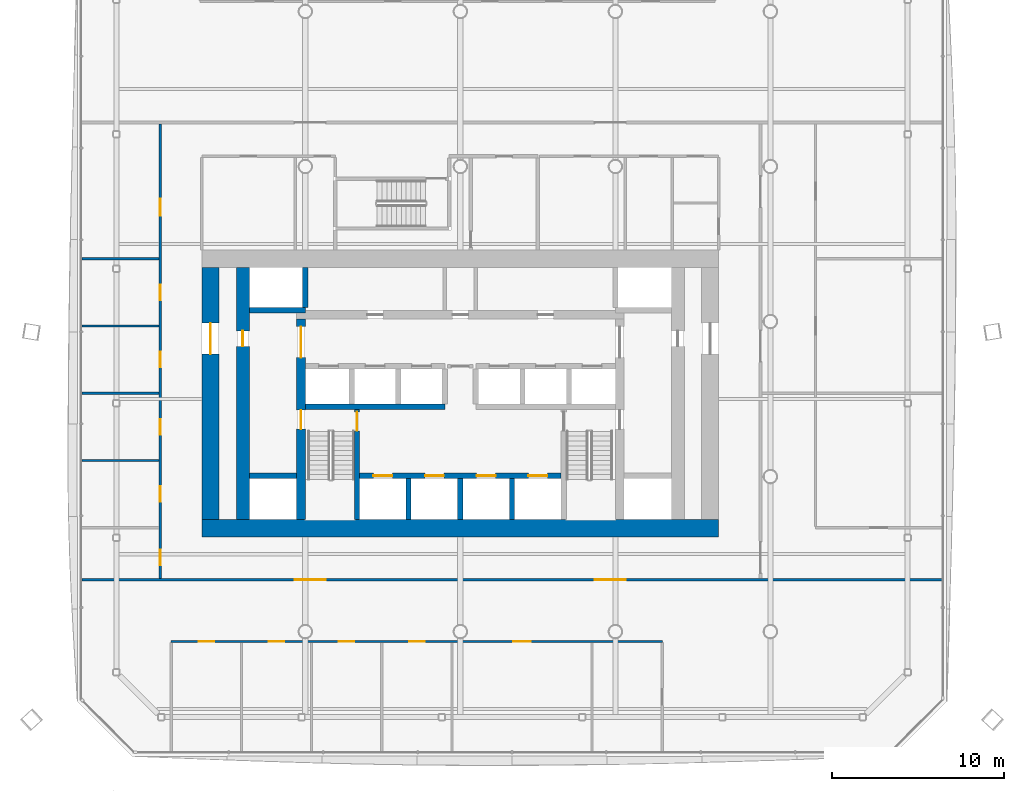
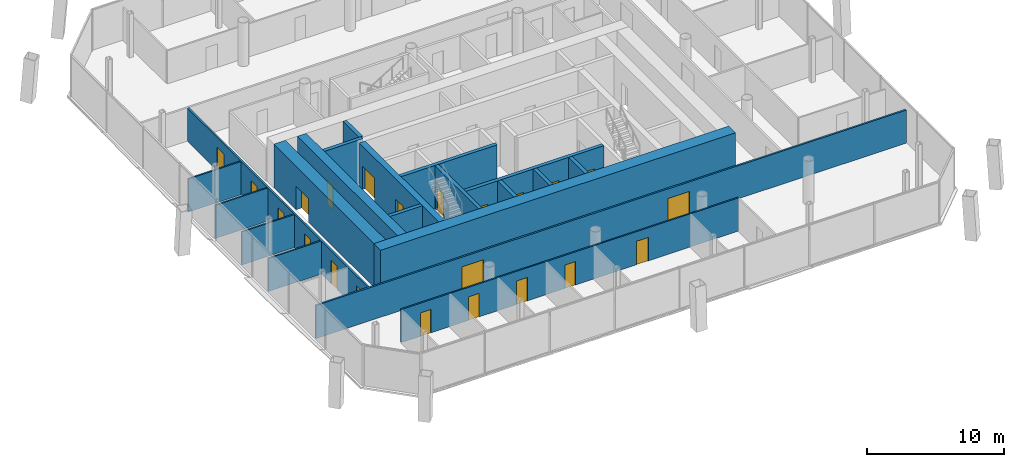
# One storey, part 11 of 19: 22 doors, 20 walls, 22 openings.
"""IFC4 building model written with IfcOpenShell, lengths in metres."""

from ifc_helpers import new_model, si_unit, direction, frame, frame_2d, origin, place, context, subcontext, project, spatial, rectangle, extrude, material, layer, layer_set, type_object, element, fill, save


model = new_model("IFC4")

# Units and contexts
model_context = context("Model", 3, precision=1e-05, world=origin(), true_north=direction((0.0, 1.0)))
body_context = subcontext(model_context, "Body", "Model", "MODEL_VIEW")
ifc_project = project(units=[si_unit("LENGTHUNIT", "METRE"), si_unit("AREAUNIT", "SQUARE_METRE"), si_unit("VOLUMEUNIT", "CUBIC_METRE"), si_unit("PLANEANGLEUNIT", "RADIAN"), si_unit("MASSUNIT", "GRAM", prefix="KILO")], contexts=[model_context])

# Site, building, storey
site_placement = place(None, origin())
site = spatial("IfcSite", under=ifc_project, at=site_placement, CompositionType="ELEMENT")
building_placement = place(site_placement, origin())
building = spatial("IfcBuilding", under=site, at=building_placement, Name="Tskaro Facet Tower", CompositionType="ELEMENT")
storey_placement = place(building_placement, frame((0.0, 0.0, 77.699951171875)))
storey = spatial("IfcBuildingStorey", under=building, at=storey_placement, Name="L18", CompositionType="ELEMENT", Elevation=77.699951171875)

# Wall
ifc_material_1 = material(Name="Concrete C60/75", Category="concrete")
ifc_layer_1 = layer(ifc_material_1, 0.300048828125, Name="Concrete C60/75")
ifc_layer_set_1 = layer_set([ifc_layer_1], Name="Concrete C60/75")
wall_type_1 = type_object("IfcWallType", Name="CORE-SHAFT", PredefinedType="SHEAR", material=ifc_layer_set_1)
wall_1_placement = place(storey_placement, frame((-12.25, -8.949951171875, 0.0), z_axis=(0.0, 0.0, 1.0), x_axis=(1.0, 0.0, 0.0)))
element("IfcWall", 1, at=wall_1_placement, inside=storey, type_object=wall_type_1, Name="Shaft wall W005", PredefinedType="SHEAR", context=body_context, shape_type="SweptSolid", body=[
    extrude(rectangle(XDim=2.75, YDim=0.300048828125, at=frame_2d((1.375, 0.0))), origin(), (0.0, 0.0, 1.0), 3.900146484375),
])

# Wall, openings, doors
wall_2_placement = place(storey_placement, frame((-5.85009765625, -8.949951171875, 0.0), z_axis=(0.0, 0.0, 1.0), x_axis=(1.0, 0.0, 0.0)))
wall_2 = element("IfcWall", 2, at=wall_2_placement, inside=storey, type_object=wall_type_1, Name="Shaft wall W006", PredefinedType="SHEAR", context=body_context, shape_type="SweptSolid", body=[
    extrude(rectangle(XDim=11.7001953125, YDim=0.300048828125, at=frame_2d((5.85009765625, 0.0))), origin(), (0.0, 0.0, 1.0), 3.900146484375),
])
opening_1_placement = place(wall_2_placement, frame((0.800048828125, 0.0, 0.0)))
opening_1 = element("IfcOpeningElement", 3, at=opening_1_placement, cuts=wall_2, Name="Opening LD-FF1", PredefinedType="OPENING", context=body_context, shape_type="SweptSolid", body=[
    extrude(rectangle(XDim=1.10009765625, YDim=2.10009765625, at=frame_2d((0.550048828125, 1.050048828125))), frame((0.0, 0.159912109375, 0.0), z_axis=(0.0, -1.0, 0.0), x_axis=(1.0, 0.0, 0.0)), (0.0, 0.0, 1.0), 0.320068359375),
])
opening_2_placement = place(wall_2_placement, frame((3.800048828125, 0.0, 0.0)))
opening_2 = element("IfcOpeningElement", 4, at=opening_2_placement, cuts=wall_2, Name="Opening LD-FF2", PredefinedType="OPENING", context=body_context, shape_type="SweptSolid", body=[
    extrude(rectangle(XDim=1.10009765625, YDim=2.10009765625, at=frame_2d((0.550048828125, 1.050048828125))), frame((0.0, 0.159912109375, 0.0), z_axis=(0.0, -1.0, 0.0), x_axis=(1.0, 0.0, 0.0)), (0.0, 0.0, 1.0), 0.320068359375),
])
opening_3_placement = place(wall_2_placement, frame((6.800048828125, 0.0, 0.0)))
opening_3 = element("IfcOpeningElement", 5, at=opening_3_placement, cuts=wall_2, Name="Opening LD-SV1", PredefinedType="OPENING", context=body_context, shape_type="SweptSolid", body=[
    extrude(rectangle(XDim=1.10009765625, YDim=2.10009765625, at=frame_2d((0.550048828125, 1.050048828125))), frame((0.0, 0.159912109375, 0.0), z_axis=(0.0, -1.0, 0.0), x_axis=(1.0, 0.0, 0.0)), (0.0, 0.0, 1.0), 0.320068359375),
])
opening_4_placement = place(wall_2_placement, frame((9.800048828125, 0.0, 0.0)))
opening_4 = element("IfcOpeningElement", 6, at=opening_4_placement, cuts=wall_2, Name="Opening LD-SV2", PredefinedType="OPENING", context=body_context, shape_type="SweptSolid", body=[
    extrude(rectangle(XDim=1.10009765625, YDim=2.10009765625, at=frame_2d((0.550048828125, 1.050048828125))), frame((0.0, 0.159912109375, 0.0), z_axis=(0.0, -1.0, 0.0), x_axis=(1.0, 0.0, 0.0)), (0.0, 0.0, 1.0), 0.320068359375),
])
ifc_material_2 = material(Name="Stainless steel", Category="steel")
door_type_1 = type_object("IfcDoorType", Name="D-LANDING", OperationType="NOTDEFINED", PredefinedType="DOOR", material=ifc_material_2)
door_1_placement = place(opening_1_placement, origin())
door_1 = element("IfcDoor", 7, at=door_1_placement, inside=storey, type_object=door_type_1, Name="Landing door FF1", OperationType="DOUBLE_DOOR_SLIDING", OverallHeight=2.10009765625, OverallWidth=1.10009765625, PredefinedType="DOOR", context=body_context, shape_type="SweptSolid", body=[
    extrude(rectangle(XDim=1.10009765625, YDim=2.10009765625, at=frame_2d((0.550048828125, 1.050048828125))), frame((0.0, 0.02490234375, 0.0), z_axis=(0.0, -1.0, 0.0), x_axis=(1.0, 0.0, 0.0)), (0.0, 0.0, 1.0), 0.050048828125),
])
fill(opening_1, door_1)
door_2_placement = place(opening_2_placement, origin())
door_2 = element("IfcDoor", 8, at=door_2_placement, inside=storey, type_object=door_type_1, Name="Landing door FF2", OperationType="DOUBLE_DOOR_SLIDING", OverallHeight=2.10009765625, OverallWidth=1.10009765625, PredefinedType="DOOR", context=body_context, shape_type="SweptSolid", body=[
    extrude(rectangle(XDim=1.10009765625, YDim=2.10009765625, at=frame_2d((0.550048828125, 1.050048828125))), frame((0.0, 0.02490234375, 0.0), z_axis=(0.0, -1.0, 0.0), x_axis=(1.0, 0.0, 0.0)), (0.0, 0.0, 1.0), 0.050048828125),
])
fill(opening_2, door_2)
door_3_placement = place(opening_3_placement, origin())
door_3 = element("IfcDoor", 9, at=door_3_placement, inside=storey, type_object=door_type_1, Name="Landing door SV1", OperationType="DOUBLE_DOOR_SLIDING", OverallHeight=2.10009765625, OverallWidth=1.10009765625, PredefinedType="DOOR", context=body_context, shape_type="SweptSolid", body=[
    extrude(rectangle(XDim=1.10009765625, YDim=2.10009765625, at=frame_2d((0.550048828125, 1.050048828125))), frame((0.0, 0.02490234375, 0.0), z_axis=(0.0, -1.0, 0.0), x_axis=(1.0, 0.0, 0.0)), (0.0, 0.0, 1.0), 0.050048828125),
])
fill(opening_3, door_3)
door_4_placement = place(opening_4_placement, origin())
door_4 = element("IfcDoor", 10, at=door_4_placement, inside=storey, type_object=door_type_1, Name="Landing door SV2", OperationType="DOUBLE_DOOR_SLIDING", OverallHeight=2.10009765625, OverallWidth=1.10009765625, PredefinedType="DOOR", context=body_context, shape_type="SweptSolid", body=[
    extrude(rectangle(XDim=1.10009765625, YDim=2.10009765625, at=frame_2d((0.550048828125, 1.050048828125))), frame((0.0, 0.02490234375, 0.0), z_axis=(0.0, -1.0, 0.0), x_axis=(1.0, 0.0, 0.0)), (0.0, 0.0, 1.0), 0.050048828125),
])
fill(opening_4, door_4)

# Walls
wall_3_placement = place(storey_placement, frame((-9.0, -4.949951171875, 0.0), z_axis=(0.0, 0.0, 1.0), x_axis=(1.0, 0.0, 0.0)))
element("IfcWall", 11, at=wall_3_placement, inside=storey, type_object=wall_type_1, Name="Shaft wall W009", PredefinedType="SHEAR", context=body_context, shape_type="SweptSolid", body=[
    extrude(rectangle(XDim=8.10009765625, YDim=0.300048828125, at=frame_2d((4.050048828125, 0.0))), origin(), (0.0, 0.0, 1.0), 3.900146484375),
])
wall_4_placement = place(storey_placement, frame((-9.0, 0.64990234375, 0.0), z_axis=(0.0, 0.0, 1.0), x_axis=(-1.0, 0.0, 0.0)))
element("IfcWall", 12, at=wall_4_placement, inside=storey, type_object=wall_type_1, Name="Shaft wall W018", PredefinedType="SHEAR", context=body_context, shape_type="SweptSolid", body=[
    extrude(rectangle(XDim=3.25, YDim=0.300048828125, at=frame_2d((1.625, 0.0))), origin(), (0.0, 0.0, 1.0), 3.900146484375),
])
wall_5_placement = place(storey_placement, frame((-9.0, 0.800048828125, 0.0), z_axis=(0.0, 0.0, 1.0), x_axis=(0.0, 1.0, 0.0)))
element("IfcWall", 13, at=wall_5_placement, inside=storey, type_object=wall_type_1, Name="Shaft wall W036", PredefinedType="SHEAR", context=body_context, shape_type="SweptSolid", body=[
    extrude(rectangle(XDim=2.349853515625, YDim=0.300048828125, at=frame_2d((1.1748046875, 0.0))), origin(), (0.0, 0.0, 1.0), 3.900146484375),
])

# Wall, opening, door
wall_6_placement = place(storey_placement, frame((-6.0, -11.5, 0.0), z_axis=(0.0, 0.0, 1.0), x_axis=(0.0, 1.0, 0.0)))
wall_6 = element("IfcWall", 14, at=wall_6_placement, inside=storey, type_object=wall_type_1, Name="Shaft wall W043", PredefinedType="SHEAR", context=body_context, shape_type="SweptSolid", body=[
    extrude(rectangle(XDim=6.39990234375, YDim=0.300048828125, at=frame_2d((3.199951171875, 0.0))), origin(), (0.0, 0.0, 1.0), 3.900146484375),
])
opening_5_placement = place(wall_6_placement, frame((5.14990234375, 0.0, 0.0)))
opening_5 = element("IfcOpeningElement", 15, at=opening_5_placement, cuts=wall_6, Name="Opening ST-1-D1", PredefinedType="OPENING", context=body_context, shape_type="SweptSolid", body=[
    extrude(rectangle(XDim=1.10009765625, YDim=2.10009765625, at=frame_2d((0.550048828125, 1.050048828125))), frame((0.0, 0.159912109375, 0.0), z_axis=(0.0, -1.0, 0.0), x_axis=(1.0, 0.0, 0.0)), (0.0, 0.0, 1.0), 0.320068359375),
])
ifc_material_3 = material(Name="Steel", Category="steel")
door_type_2 = type_object("IfcDoorType", Name="D-STAIR", OperationType="NOTDEFINED", PredefinedType="DOOR", material=ifc_material_3)
door_5_placement = place(opening_5_placement, origin())
door_5 = element("IfcDoor", 16, at=door_5_placement, inside=storey, type_object=door_type_2, Name="Stair door 1", OperationType="SINGLE_SWING_LEFT", OverallHeight=2.10009765625, OverallWidth=1.10009765625, PredefinedType="DOOR", context=body_context, shape_type="SweptSolid", body=[
    extrude(rectangle(XDim=1.10009765625, YDim=2.10009765625, at=frame_2d((0.550048828125, 1.050048828125))), frame((0.0, 0.02490234375, 0.0), z_axis=(0.0, -1.0, 0.0), x_axis=(1.0, 0.0, 0.0)), (0.0, 0.0, 1.0), 0.050048828125),
])
fill(opening_5, door_5)

# Walls
for number, where, z_axis, x_axis, name in (
    (17, (-3.0, -11.5, 0.0), (0.0, 0.0, 1.0), (0.0, 1.0, 0.0), "Shaft wall W046"),
    (18, (0.0, -11.5, 0.0), (0.0, 0.0, 1.0), (0.0, 1.0, 0.0), "Shaft wall W053"),
    (19, (3.0, -11.5, 0.0), (0.0, 0.0, 1.0), (0.0, 1.0, 0.0), "Shaft wall W057"),
):
    element("IfcWall", number, at=place(storey_placement, frame(where, z_axis=z_axis, x_axis=x_axis)), inside=storey, type_object=wall_type_1, Name=name, PredefinedType="SHEAR", context=body_context, shape_type="SweptSolid", body=[
        extrude(rectangle(XDim=2.39990234375, YDim=0.300048828125, at=frame_2d((1.199951171875, 0.0))), origin(), (0.0, 0.0, 1.0), 3.900146484375),
    ])
ifc_layer_2 = layer(ifc_material_1, 1.0, Name="Concrete C60/75")
ifc_layer_set_2 = layer_set([ifc_layer_2], Name="Concrete C60/75")
wall_type_2 = type_object("IfcWallType", Name="Core wall 1000", PredefinedType="SHEAR", material=ifc_layer_set_2)
wall_7_placement = place(storey_placement, frame((-15.0, -12.0, 0.0), z_axis=(0.0, 0.0, 1.0), x_axis=(1.0, 0.0, 0.0)))
element("IfcWall", 20, at=wall_7_placement, inside=storey, type_object=wall_type_2, Name="Core wall CW-Z1S", PredefinedType="SHEAR", context=body_context, shape_type="SweptSolid", body=[
    extrude(rectangle(XDim=30.0, YDim=1.0, at=frame_2d((15.0, 0.0))), origin(), (0.0, 0.0, 1.0), 3.900146484375),
])

# Wall, opening, door
wall_8_placement = place(storey_placement, frame((-14.5, -11.5, 0.0), z_axis=(0.0, 0.0, 1.0), x_axis=(0.0, 1.0, 0.0)))
wall_8 = element("IfcWall", 21, at=wall_8_placement, inside=storey, type_object=wall_type_2, Name="Core wall CW-Z1W", PredefinedType="SHEAR", context=body_context, shape_type="SweptSolid", body=[
    extrude(rectangle(XDim=14.64990234375, YDim=1.0, at=frame_2d((7.324951171875, 0.0))), origin(), (0.0, 0.0, 1.0), 3.900146484375),
])
opening_6_placement = place(wall_8_placement, frame((9.60009765625, 0.0, 0.0)))
opening_6 = element("IfcOpeningElement", 22, at=opening_6_placement, cuts=wall_8, Name="Opening T5-D20", PredefinedType="OPENING", context=body_context, shape_type="SweptSolid", body=[
    extrude(rectangle(XDim=1.800048828125, YDim=2.10009765625, at=frame_2d((0.89990234375, 1.050048828125))), frame((0.0, 0.510009765625, 0.0), z_axis=(0.0, -1.0, 0.0), x_axis=(1.0, 0.0, 0.0)), (0.0, 0.0, 1.0), 1.02001953125),
])
door_type_3 = type_object("IfcDoorType", Name="D-CORE-PAIR", OperationType="NOTDEFINED", PredefinedType="DOOR", material=ifc_material_3)
door_6_placement = place(opening_6_placement, origin())
door_6 = element("IfcDoor", 23, at=door_6_placement, inside=storey, type_object=door_type_3, Name="Door T5-D20", OperationType="DOUBLE_DOOR_SINGLE_SWING", OverallHeight=2.10009765625, OverallWidth=1.800048828125, PredefinedType="DOOR", context=body_context, shape_type="SweptSolid", body=[
    extrude(rectangle(XDim=1.800048828125, YDim=2.10009765625, at=frame_2d((0.89990234375, 1.050048828125))), frame((0.0, 0.02490234375, 0.0), z_axis=(0.0, -1.0, 0.0), x_axis=(1.0, 0.0, 0.0)), (0.0, 0.0, 1.0), 0.050048828125),
])
fill(opening_6, door_6)

# Wall, openings, doors
ifc_material_4 = material(Name="Concrete C40/50", Category="concrete")
ifc_layer_3 = layer(ifc_material_4, 0.5, Name="Concrete C40/50")
ifc_layer_set_3 = layer_set([ifc_layer_3], Name="Concrete C40/50")
wall_type_3 = type_object("IfcWallType", Name="Core wall 500", PredefinedType="SHEAR", material=ifc_layer_set_3)
wall_9_placement = place(storey_placement, frame((-9.25, -11.5, 0.0), z_axis=(0.0, 0.0, 1.0), x_axis=(0.0, 1.0, 0.0)))
wall_9 = element("IfcWall", 24, at=wall_9_placement, inside=storey, type_object=wall_type_3, Name="Core wall CW-Z3W", PredefinedType="SHEAR", context=body_context, shape_type="SweptSolid", body=[
    extrude(rectangle(XDim=11.64990234375, YDim=0.5, at=frame_2d((5.824951171875, 0.0))), origin(), (0.0, 0.0, 1.0), 3.900146484375),
])
opening_7_placement = place(wall_9_placement, frame((9.39990234375, 0.0, 0.0)))
opening_7 = element("IfcOpeningElement", 25, at=opening_7_placement, cuts=wall_9, Name="Opening T5-D18", PredefinedType="OPENING", context=body_context, shape_type="SweptSolid", body=[
    extrude(rectangle(XDim=1.800048828125, YDim=2.10009765625, at=frame_2d((0.89990234375, 1.050048828125))), frame((0.0, 0.260009765625, 0.0), z_axis=(0.0, -1.0, 0.0), x_axis=(1.0, 0.0, 0.0)), (0.0, 0.0, 1.0), 0.52001953125),
])
opening_8_placement = place(wall_9_placement, frame((5.25, 0.0, 0.0)))
opening_8 = element("IfcOpeningElement", 26, at=opening_8_placement, cuts=wall_9, Name="Opening ST-1-D2", PredefinedType="OPENING", context=body_context, shape_type="SweptSolid", body=[
    extrude(rectangle(XDim=1.10009765625, YDim=2.10009765625, at=frame_2d((0.550048828125, 1.050048828125))), frame((0.0, 0.260009765625, 0.0), z_axis=(0.0, -1.0, 0.0), x_axis=(1.0, 0.0, 0.0)), (0.0, 0.0, 1.0), 0.52001953125),
])
door_7_placement = place(opening_7_placement, origin())
door_7 = element("IfcDoor", 27, at=door_7_placement, inside=storey, type_object=door_type_3, Name="Door T5-D18", OperationType="DOUBLE_DOOR_SINGLE_SWING", OverallHeight=2.10009765625, OverallWidth=1.800048828125, PredefinedType="DOOR", context=body_context, shape_type="SweptSolid", body=[
    extrude(rectangle(XDim=1.800048828125, YDim=2.10009765625, at=frame_2d((0.89990234375, 1.050048828125))), frame((0.0, 0.02490234375, 0.0), z_axis=(0.0, -1.0, 0.0), x_axis=(1.0, 0.0, 0.0)), (0.0, 0.0, 1.0), 0.050048828125),
])
fill(opening_7, door_7)
door_8_placement = place(opening_8_placement, origin())
door_8 = element("IfcDoor", 28, at=door_8_placement, inside=storey, type_object=door_type_2, Name="Stair door 1 west", OperationType="SINGLE_SWING_LEFT", OverallHeight=2.10009765625, OverallWidth=1.10009765625, PredefinedType="DOOR", context=body_context, shape_type="SweptSolid", body=[
    extrude(rectangle(XDim=1.10009765625, YDim=2.10009765625, at=frame_2d((0.550048828125, 1.050048828125))), frame((0.0, 0.02490234375, 0.0), z_axis=(0.0, -1.0, 0.0), x_axis=(1.0, 0.0, 0.0)), (0.0, 0.0, 1.0), 0.050048828125),
])
fill(opening_8, door_8)

# Wall, opening, door
ifc_material_5 = material(Name="Concrete C50/60", Category="concrete")
ifc_layer_4 = layer(ifc_material_5, 0.75, Name="Concrete C50/60")
ifc_layer_set_4 = layer_set([ifc_layer_4], Name="Concrete C50/60")
wall_type_4 = type_object("IfcWallType", Name="Core wall 750", PredefinedType="SHEAR", material=ifc_layer_set_4)
wall_10_placement = place(storey_placement, frame((-12.625, -11.5, 0.0), z_axis=(0.0, 0.0, 1.0), x_axis=(0.0, 1.0, 0.0)))
wall_10 = element("IfcWall", 29, at=wall_10_placement, inside=storey, type_object=wall_type_4, Name="Core wall CW-Z2W", PredefinedType="SHEAR", context=body_context, shape_type="SweptSolid", body=[
    extrude(rectangle(XDim=14.64990234375, YDim=0.75, at=frame_2d((7.324951171875, 0.0))), origin(), (0.0, 0.0, 1.0), 3.900146484375),
])
opening_9_placement = place(wall_10_placement, frame((10.050048828125, 0.0, 0.0)))
opening_9 = element("IfcOpeningElement", 30, at=opening_9_placement, cuts=wall_10, Name="Opening T5-D21", PredefinedType="OPENING", context=body_context, shape_type="SweptSolid", body=[
    extrude(rectangle(XDim=0.89990234375, YDim=2.10009765625, at=frame_2d((0.449951171875, 1.050048828125))), frame((0.0, 0.385009765625, 0.0), z_axis=(0.0, -1.0, 0.0), x_axis=(1.0, 0.0, 0.0)), (0.0, 0.0, 1.0), 0.77001953125),
])
ifc_material_6 = material(Name="Timber", Category="wood")
door_type_4 = type_object("IfcDoorType", Name="D-ROOM", OperationType="NOTDEFINED", PredefinedType="DOOR", material=ifc_material_6)
door_9_placement = place(opening_9_placement, origin())
door_9 = element("IfcDoor", 31, at=door_9_placement, inside=storey, type_object=door_type_4, Name="Door T5-D21", OperationType="SINGLE_SWING_LEFT", OverallHeight=2.10009765625, OverallWidth=0.89990234375, PredefinedType="DOOR", context=body_context, shape_type="SweptSolid", body=[
    extrude(rectangle(XDim=0.89990234375, YDim=2.10009765625, at=frame_2d((0.449951171875, 1.050048828125))), frame((0.0, 0.02490234375, 0.0), z_axis=(0.0, -1.0, 0.0), x_axis=(1.0, 0.0, 0.0)), (0.0, 0.0, 1.0), 0.050048828125),
])
fill(opening_9, door_9)

# Wall, openings, doors
ifc_material_7 = material(Name="Gypsum board on steel studs", Category="steel")
ifc_layer_5 = layer(ifc_material_7, 0.125, Name="Gypsum board on steel studs")
ifc_layer_set_5 = layer_set([ifc_layer_5], Name="Gypsum board on steel studs")
wall_type_5 = type_object("IfcWallType", Name="PART", PredefinedType="PARTITIONING", material=ifc_layer_set_5)
wall_11_placement = place(storey_placement, frame((11.72607421875, -18.580078125, 0.0), z_axis=(0.0, 0.0, 1.0), x_axis=(-1.0, 0.0, 0.0)))
wall_11 = element("IfcWall", 32, at=wall_11_placement, inside=storey, type_object=wall_type_5, Name="Partition W001", PredefinedType="PARTITIONING", context=body_context, shape_type="SweptSolid", body=[
    extrude(rectangle(XDim=28.510009765625, YDim=0.125, at=frame_2d((14.2548828125, 0.0))), origin(), (0.0, 0.0, 1.0), 2.9599609375),
])
opening_10_placement = place(wall_11_placement, frame((7.64599609375, 0.0, 0.0)))
opening_10 = element("IfcOpeningElement", 33, at=opening_10_placement, cuts=wall_11, Name="Opening T5-D06", PredefinedType="OPENING", context=body_context, shape_type="SweptSolid", body=[
    extrude(rectangle(XDim=1.0, YDim=2.10009765625, at=frame_2d((0.5, 1.050048828125))), frame((0.0, 0.072509765625, 0.0), z_axis=(0.0, -1.0, 0.0), x_axis=(1.0, 0.0, 0.0)), (0.0, 0.0, 1.0), 0.14501953125),
])
opening_11_placement = place(wall_11_placement, frame((26.0234375, 0.0, 0.0)))
opening_11 = element("IfcOpeningElement", 34, at=opening_11_placement, cuts=wall_11, Name="Opening T5-D02", PredefinedType="OPENING", context=body_context, shape_type="SweptSolid", body=[
    extrude(rectangle(XDim=0.89990234375, YDim=2.10009765625, at=frame_2d((0.449951171875, 1.050048828125))), frame((0.0, 0.072509765625, 0.0), z_axis=(0.0, -1.0, 0.0), x_axis=(1.0, 0.0, 0.0)), (0.0, 0.0, 1.0), 0.14501953125),
])
opening_12_placement = place(wall_11_placement, frame((21.950439453125, 0.0, 0.0)))
opening_12 = element("IfcOpeningElement", 35, at=opening_12_placement, cuts=wall_11, Name="Opening T5-D03", PredefinedType="OPENING", context=body_context, shape_type="SweptSolid", body=[
    extrude(rectangle(XDim=0.89990234375, YDim=2.10009765625, at=frame_2d((0.449951171875, 1.050048828125))), frame((0.0, 0.072509765625, 0.0), z_axis=(0.0, -1.0, 0.0), x_axis=(1.0, 0.0, 0.0)), (0.0, 0.0, 1.0), 0.14501953125),
])
opening_13_placement = place(wall_11_placement, frame((17.8779296875, 0.0, 0.0)))
opening_13 = element("IfcOpeningElement", 36, at=opening_13_placement, cuts=wall_11, Name="Opening T5-D04", PredefinedType="OPENING", context=body_context, shape_type="SweptSolid", body=[
    extrude(rectangle(XDim=0.89990234375, YDim=2.10009765625, at=frame_2d((0.449951171875, 1.050048828125))), frame((0.0, 0.072509765625, 0.0), z_axis=(0.0, -1.0, 0.0), x_axis=(1.0, 0.0, 0.0)), (0.0, 0.0, 1.0), 0.14501953125),
])
opening_14_placement = place(wall_11_placement, frame((13.805419921875, 0.0, 0.0)))
opening_14 = element("IfcOpeningElement", 37, at=opening_14_placement, cuts=wall_11, Name="Opening T5-D05", PredefinedType="OPENING", context=body_context, shape_type="SweptSolid", body=[
    extrude(rectangle(XDim=0.89990234375, YDim=2.10009765625, at=frame_2d((0.449951171875, 1.050048828125))), frame((0.0, 0.072509765625, 0.0), z_axis=(0.0, -1.0, 0.0), x_axis=(1.0, 0.0, 0.0)), (0.0, 0.0, 1.0), 0.14501953125),
])
door_10_placement = place(opening_11_placement, origin())
door_10 = element("IfcDoor", 38, at=door_10_placement, inside=storey, type_object=door_type_4, Name="Door T5-D02", OperationType="SINGLE_SWING_RIGHT", OverallHeight=2.10009765625, OverallWidth=0.89990234375, PredefinedType="DOOR", context=body_context, shape_type="SweptSolid", body=[
    extrude(rectangle(XDim=0.89990234375, YDim=2.10009765625, at=frame_2d((0.449951171875, 1.050048828125))), frame((0.0, 0.02490234375, 0.0), z_axis=(0.0, -1.0, 0.0), x_axis=(1.0, 0.0, 0.0)), (0.0, 0.0, 1.0), 0.050048828125),
])
fill(opening_11, door_10)
door_11_placement = place(opening_12_placement, origin())
door_11 = element("IfcDoor", 39, at=door_11_placement, inside=storey, type_object=door_type_4, Name="Door T5-D03", OperationType="SINGLE_SWING_RIGHT", OverallHeight=2.10009765625, OverallWidth=0.89990234375, PredefinedType="DOOR", context=body_context, shape_type="SweptSolid", body=[
    extrude(rectangle(XDim=0.89990234375, YDim=2.10009765625, at=frame_2d((0.449951171875, 1.050048828125))), frame((0.0, 0.02490234375, 0.0), z_axis=(0.0, -1.0, 0.0), x_axis=(1.0, 0.0, 0.0)), (0.0, 0.0, 1.0), 0.050048828125),
])
fill(opening_12, door_11)
door_12_placement = place(opening_13_placement, origin())
door_12 = element("IfcDoor", 40, at=door_12_placement, inside=storey, type_object=door_type_4, Name="Door T5-D04", OperationType="SINGLE_SWING_RIGHT", OverallHeight=2.10009765625, OverallWidth=0.89990234375, PredefinedType="DOOR", context=body_context, shape_type="SweptSolid", body=[
    extrude(rectangle(XDim=0.89990234375, YDim=2.10009765625, at=frame_2d((0.449951171875, 1.050048828125))), frame((0.0, 0.02490234375, 0.0), z_axis=(0.0, -1.0, 0.0), x_axis=(1.0, 0.0, 0.0)), (0.0, 0.0, 1.0), 0.050048828125),
])
fill(opening_13, door_12)
door_13_placement = place(opening_14_placement, origin())
door_13 = element("IfcDoor", 41, at=door_13_placement, inside=storey, type_object=door_type_4, Name="Door T5-D05", OperationType="SINGLE_SWING_RIGHT", OverallHeight=2.10009765625, OverallWidth=0.89990234375, PredefinedType="DOOR", context=body_context, shape_type="SweptSolid", body=[
    extrude(rectangle(XDim=0.89990234375, YDim=2.10009765625, at=frame_2d((0.449951171875, 1.050048828125))), frame((0.0, 0.02490234375, 0.0), z_axis=(0.0, -1.0, 0.0), x_axis=(1.0, 0.0, 0.0)), (0.0, 0.0, 1.0), 0.050048828125),
])
fill(opening_14, door_13)
door_type_5 = type_object("IfcDoorType", Name="D-ROOM-WIDE", OperationType="NOTDEFINED", PredefinedType="DOOR", material=ifc_material_6)
door_14_placement = place(opening_10_placement, origin())
door_14 = element("IfcDoor", 42, at=door_14_placement, inside=storey, type_object=door_type_5, Name="Door T5-D06", OperationType="SINGLE_SWING_RIGHT", OverallHeight=2.10009765625, OverallWidth=1.0, PredefinedType="DOOR", context=body_context, shape_type="SweptSolid", body=[
    extrude(rectangle(XDim=1.0, YDim=2.10009765625, at=frame_2d((0.5, 1.050048828125))), frame((0.0, 0.02490234375, 0.0), z_axis=(0.0, -1.0, 0.0), x_axis=(1.0, 0.0, 0.0)), (0.0, 0.0, 1.0), 0.050048828125),
])
fill(opening_10, door_14)

# Walls
for number, where, z_axis, x_axis, name in (
    (43, (-21.9609375, -8.068115234375, 0.0), (0.0, 0.0, 1.0), (1.0, 0.0, 0.0), "Partition W008"),
    (44, (-21.9609375, -4.162109375, 0.0), (0.0, 0.0, 1.0), (1.0, 0.0, 0.0), "Partition W011"),
    (45, (-21.9609375, -0.257080078125, 0.0), (0.0, 0.0, 1.0), (1.0, 0.0, 0.0), "Partition W017"),
    (46, (-21.9609375, 3.64794921875, 0.0), (0.0, 0.0, 1.0), (1.0, 0.0, 0.0), "Partition W020"),
):
    element("IfcWall", number, at=place(storey_placement, frame(where, z_axis=z_axis, x_axis=x_axis)), inside=storey, type_object=wall_type_5, Name=name, PredefinedType="PARTITIONING", context=body_context, shape_type="SweptSolid", body=[
        extrude(rectangle(XDim=4.4609375, YDim=0.125, at=frame_2d((2.23046875, 0.0))), origin(), (0.0, 0.0, 1.0), 2.9599609375),
    ])

# Wall, openings, doors
ifc_layer_6 = layer(ifc_material_7, 0.14990234375, Name="Gypsum board on steel studs")
ifc_layer_set_6 = layer_set([ifc_layer_6], Name="Gypsum board on steel studs")
wall_type_6 = type_object("IfcWallType", Name="PART-CORR", PredefinedType="PARTITIONING", material=ifc_layer_set_6)
wall_12_placement = place(storey_placement, frame((-21.9609375, -15.0, 0.0), z_axis=(0.0, 0.0, 1.0), x_axis=(1.0, 0.0, 0.0)))
wall_12 = element("IfcWall", 47, at=wall_12_placement, inside=storey, type_object=wall_type_6, Name="Corridor wall W002", PredefinedType="PARTITIONING", context=body_context, shape_type="SweptSolid", body=[
    extrude(rectangle(XDim=49.921875, YDim=0.14990234375, at=frame_2d((24.9609375, 0.0))), origin(), (0.0, 0.0, 1.0), 2.9599609375),
])
opening_15_placement = place(wall_12_placement, frame((12.347900390625, 0.0, 0.0)))
opening_15 = element("IfcOpeningElement", 48, at=opening_15_placement, cuts=wall_12, Name="Opening T5-D07", PredefinedType="OPENING", context=body_context, shape_type="SweptSolid", body=[
    extrude(rectangle(XDim=1.800048828125, YDim=2.10009765625, at=frame_2d((0.89990234375, 1.050048828125))), frame((0.0, 0.0849609375, 0.0), z_axis=(0.0, -1.0, 0.0), x_axis=(1.0, 0.0, 0.0)), (0.0, 0.0, 1.0), 0.169921875),
])
opening_16_placement = place(wall_12_placement, frame((29.77392578125, 0.0, 0.0)))
opening_16 = element("IfcOpeningElement", 49, at=opening_16_placement, cuts=wall_12, Name="Opening T5-D08", PredefinedType="OPENING", context=body_context, shape_type="SweptSolid", body=[
    extrude(rectangle(XDim=1.800048828125, YDim=2.10009765625, at=frame_2d((0.89990234375, 1.050048828125))), frame((0.0, 0.0849609375, 0.0), z_axis=(0.0, -1.0, 0.0), x_axis=(1.0, 0.0, 0.0)), (0.0, 0.0, 1.0), 0.169921875),
])
ifc_material_8 = material(Name="Glass", Category="glass")
door_type_6 = type_object("IfcDoorType", Name="D-ENTRY-PAIR", OperationType="NOTDEFINED", PredefinedType="DOOR", material=ifc_material_8)
door_15_placement = place(opening_15_placement, origin())
door_15 = element("IfcDoor", 50, at=door_15_placement, inside=storey, type_object=door_type_6, Name="Door T5-D07", OperationType="DOUBLE_DOOR_SINGLE_SWING", OverallHeight=2.10009765625, OverallWidth=1.800048828125, PredefinedType="DOOR", context=body_context, shape_type="SweptSolid", body=[
    extrude(rectangle(XDim=1.800048828125, YDim=2.10009765625, at=frame_2d((0.89990234375, 1.050048828125))), frame((0.0, 0.02490234375, 0.0), z_axis=(0.0, -1.0, 0.0), x_axis=(1.0, 0.0, 0.0)), (0.0, 0.0, 1.0), 0.050048828125),
])
fill(opening_15, door_15)
door_16_placement = place(opening_16_placement, origin())
door_16 = element("IfcDoor", 51, at=door_16_placement, inside=storey, type_object=door_type_6, Name="Door T5-D08", OperationType="DOUBLE_DOOR_SINGLE_SWING", OverallHeight=2.10009765625, OverallWidth=1.800048828125, PredefinedType="DOOR", context=body_context, shape_type="SweptSolid", body=[
    extrude(rectangle(XDim=1.800048828125, YDim=2.10009765625, at=frame_2d((0.89990234375, 1.050048828125))), frame((0.0, 0.02490234375, 0.0), z_axis=(0.0, -1.0, 0.0), x_axis=(1.0, 0.0, 0.0)), (0.0, 0.0, 1.0), 0.050048828125),
])
fill(opening_16, door_16)

wall_13_placement = place(storey_placement, frame((-17.425048828125, -14.925048828125, 0.0), z_axis=(0.0, 0.0, 1.0), x_axis=(0.0, 1.0, 0.0)))
wall_13 = element("IfcWall", 52, at=wall_13_placement, inside=storey, type_object=wall_type_6, Name="Corridor wall W030", PredefinedType="PARTITIONING", context=body_context, shape_type="SweptSolid", body=[
    extrude(rectangle(XDim=26.405029296875, YDim=0.14990234375, at=frame_2d((13.20263671875, 0.0))), origin(), (0.0, 0.0, 1.0), 2.9599609375),
])
opening_17_placement = place(wall_13_placement, frame((0.762451171875, 0.0, 0.0)))
opening_17 = element("IfcOpeningElement", 53, at=opening_17_placement, cuts=wall_13, Name="Opening T5-D09", PredefinedType="OPENING", context=body_context, shape_type="SweptSolid", body=[
    extrude(rectangle(XDim=0.89990234375, YDim=2.10009765625, at=frame_2d((0.449951171875, 1.050048828125))), frame((0.0, 0.0849609375, 0.0), z_axis=(0.0, -1.0, 0.0), x_axis=(1.0, 0.0, 0.0)), (0.0, 0.0, 1.0), 0.169921875),
])
opening_18_placement = place(wall_13_placement, frame((4.45458984375, 0.0, 0.0)))
opening_18 = element("IfcOpeningElement", 54, at=opening_18_placement, cuts=wall_13, Name="Opening T5-D12", PredefinedType="OPENING", context=body_context, shape_type="SweptSolid", body=[
    extrude(rectangle(XDim=0.89990234375, YDim=2.10009765625, at=frame_2d((0.449951171875, 1.050048828125))), frame((0.0, 0.0849609375, 0.0), z_axis=(0.0, -1.0, 0.0), x_axis=(1.0, 0.0, 0.0)), (0.0, 0.0, 1.0), 0.169921875),
])
opening_19_placement = place(wall_13_placement, frame((8.360107421875, 0.0, 0.0)))
opening_19 = element("IfcOpeningElement", 55, at=opening_19_placement, cuts=wall_13, Name="Opening T5-D15", PredefinedType="OPENING", context=body_context, shape_type="SweptSolid", body=[
    extrude(rectangle(XDim=0.89990234375, YDim=2.10009765625, at=frame_2d((0.449951171875, 1.050048828125))), frame((0.0, 0.0849609375, 0.0), z_axis=(0.0, -1.0, 0.0), x_axis=(1.0, 0.0, 0.0)), (0.0, 0.0, 1.0), 0.169921875),
])
opening_20_placement = place(wall_13_placement, frame((12.265380859375, 0.0, 0.0)))
opening_20 = element("IfcOpeningElement", 56, at=opening_20_placement, cuts=wall_13, Name="Opening T5-D16", PredefinedType="OPENING", context=body_context, shape_type="SweptSolid", body=[
    extrude(rectangle(XDim=0.89990234375, YDim=2.10009765625, at=frame_2d((0.449951171875, 1.050048828125))), frame((0.0, 0.0849609375, 0.0), z_axis=(0.0, -1.0, 0.0), x_axis=(1.0, 0.0, 0.0)), (0.0, 0.0, 1.0), 0.169921875),
])
opening_21_placement = place(wall_13_placement, frame((16.17041015625, 0.0, 0.0)))
opening_21 = element("IfcOpeningElement", 57, at=opening_21_placement, cuts=wall_13, Name="Opening T5-D30", PredefinedType="OPENING", context=body_context, shape_type="SweptSolid", body=[
    extrude(rectangle(XDim=0.89990234375, YDim=2.10009765625, at=frame_2d((0.449951171875, 1.050048828125))), frame((0.0, 0.0849609375, 0.0), z_axis=(0.0, -1.0, 0.0), x_axis=(1.0, 0.0, 0.0)), (0.0, 0.0, 1.0), 0.169921875),
])
opening_22_placement = place(wall_13_placement, frame((21.051513671875, 0.0, 0.0)))
opening_22 = element("IfcOpeningElement", 58, at=opening_22_placement, cuts=wall_13, Name="Opening T5-D33", PredefinedType="OPENING", context=body_context, shape_type="SweptSolid", body=[
    extrude(rectangle(XDim=1.0, YDim=2.10009765625, at=frame_2d((0.5, 1.050048828125))), frame((0.0, 0.0849609375, 0.0), z_axis=(0.0, -1.0, 0.0), x_axis=(1.0, 0.0, 0.0)), (0.0, 0.0, 1.0), 0.169921875),
])
door_17_placement = place(opening_17_placement, origin())
door_17 = element("IfcDoor", 59, at=door_17_placement, inside=storey, type_object=door_type_4, Name="Door T5-D09", OperationType="SINGLE_SWING_LEFT", OverallHeight=2.10009765625, OverallWidth=0.89990234375, PredefinedType="DOOR", context=body_context, shape_type="SweptSolid", body=[
    extrude(rectangle(XDim=0.89990234375, YDim=2.10009765625, at=frame_2d((0.449951171875, 1.050048828125))), frame((0.0, 0.02490234375, 0.0), z_axis=(0.0, -1.0, 0.0), x_axis=(1.0, 0.0, 0.0)), (0.0, 0.0, 1.0), 0.050048828125),
])
fill(opening_17, door_17)
door_18_placement = place(opening_18_placement, origin())
door_18 = element("IfcDoor", 60, at=door_18_placement, inside=storey, type_object=door_type_4, Name="Door T5-D12", OperationType="SINGLE_SWING_LEFT", OverallHeight=2.10009765625, OverallWidth=0.89990234375, PredefinedType="DOOR", context=body_context, shape_type="SweptSolid", body=[
    extrude(rectangle(XDim=0.89990234375, YDim=2.10009765625, at=frame_2d((0.449951171875, 1.050048828125))), frame((0.0, 0.02490234375, 0.0), z_axis=(0.0, -1.0, 0.0), x_axis=(1.0, 0.0, 0.0)), (0.0, 0.0, 1.0), 0.050048828125),
])
fill(opening_18, door_18)
door_19_placement = place(opening_19_placement, origin())
door_19 = element("IfcDoor", 61, at=door_19_placement, inside=storey, type_object=door_type_4, Name="Door T5-D15", OperationType="SINGLE_SWING_LEFT", OverallHeight=2.10009765625, OverallWidth=0.89990234375, PredefinedType="DOOR", context=body_context, shape_type="SweptSolid", body=[
    extrude(rectangle(XDim=0.89990234375, YDim=2.10009765625, at=frame_2d((0.449951171875, 1.050048828125))), frame((0.0, 0.02490234375, 0.0), z_axis=(0.0, -1.0, 0.0), x_axis=(1.0, 0.0, 0.0)), (0.0, 0.0, 1.0), 0.050048828125),
])
fill(opening_19, door_19)
door_20_placement = place(opening_20_placement, origin())
door_20 = element("IfcDoor", 62, at=door_20_placement, inside=storey, type_object=door_type_4, Name="Door T5-D16", OperationType="SINGLE_SWING_LEFT", OverallHeight=2.10009765625, OverallWidth=0.89990234375, PredefinedType="DOOR", context=body_context, shape_type="SweptSolid", body=[
    extrude(rectangle(XDim=0.89990234375, YDim=2.10009765625, at=frame_2d((0.449951171875, 1.050048828125))), frame((0.0, 0.02490234375, 0.0), z_axis=(0.0, -1.0, 0.0), x_axis=(1.0, 0.0, 0.0)), (0.0, 0.0, 1.0), 0.050048828125),
])
fill(opening_20, door_20)
door_21_placement = place(opening_21_placement, origin())
door_21 = element("IfcDoor", 63, at=door_21_placement, inside=storey, type_object=door_type_4, Name="Door T5-D30", OperationType="SINGLE_SWING_LEFT", OverallHeight=2.10009765625, OverallWidth=0.89990234375, PredefinedType="DOOR", context=body_context, shape_type="SweptSolid", body=[
    extrude(rectangle(XDim=0.89990234375, YDim=2.10009765625, at=frame_2d((0.449951171875, 1.050048828125))), frame((0.0, 0.02490234375, 0.0), z_axis=(0.0, -1.0, 0.0), x_axis=(1.0, 0.0, 0.0)), (0.0, 0.0, 1.0), 0.050048828125),
])
fill(opening_21, door_21)
door_22_placement = place(opening_22_placement, origin())
door_22 = element("IfcDoor", 64, at=door_22_placement, inside=storey, type_object=door_type_5, Name="Door T5-D33", OperationType="SINGLE_SWING_LEFT", OverallHeight=2.10009765625, OverallWidth=1.0, PredefinedType="DOOR", context=body_context, shape_type="SweptSolid", body=[
    extrude(rectangle(XDim=1.0, YDim=2.10009765625, at=frame_2d((0.5, 1.050048828125))), frame((0.0, 0.02490234375, 0.0), z_axis=(0.0, -1.0, 0.0), x_axis=(1.0, 0.0, 0.0)), (0.0, 0.0, 1.0), 0.050048828125),
])
fill(opening_22, door_22)

save(model, "model.ifc")
